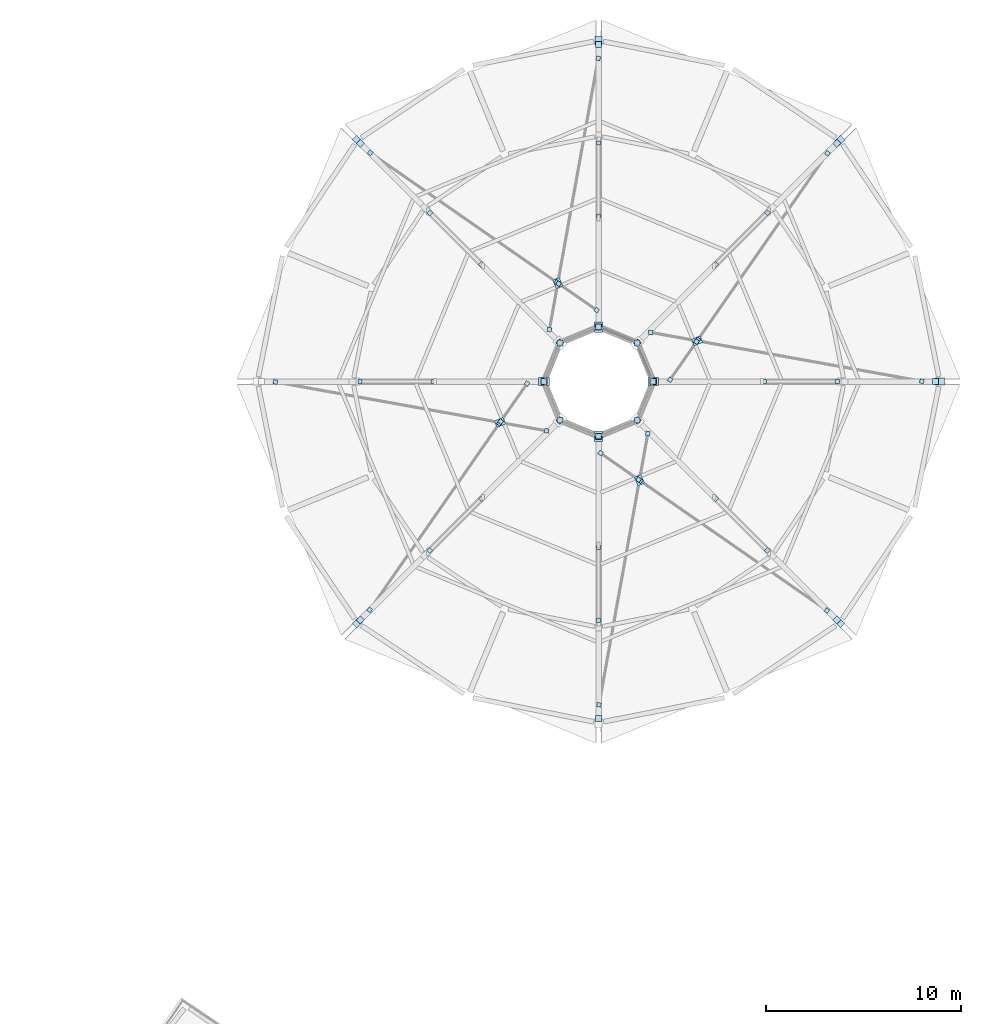
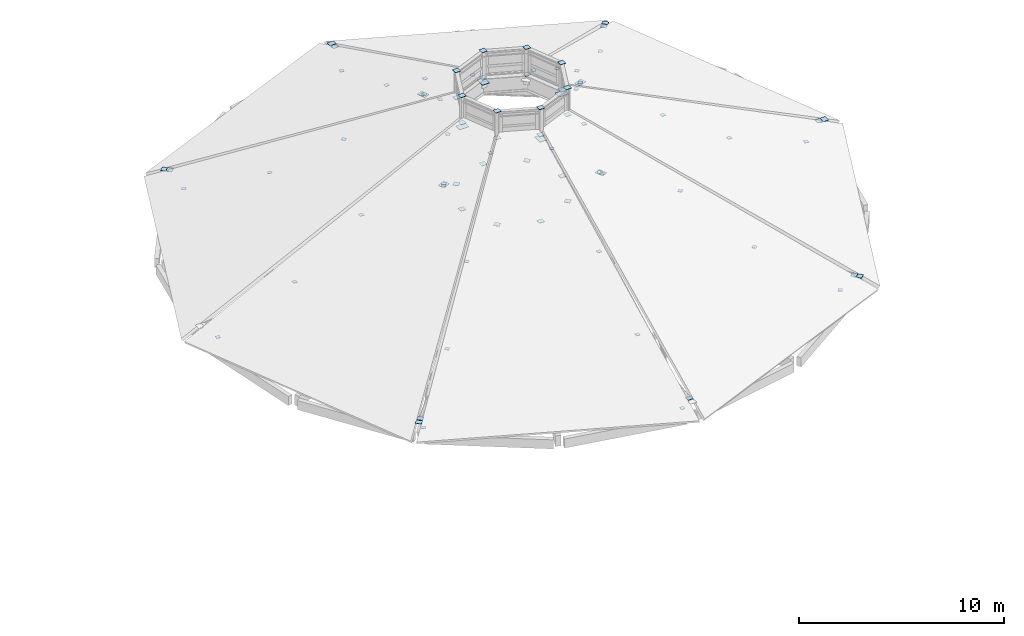
# One storey, part 51 of 66: 85 plates.
"""IFC4 building model written with IfcOpenShell, lengths in metres."""

from ifc_helpers import new_model, si_unit, direction, frame, origin, origin_2d, place, context, subcontext, project, spatial, rectangle, extrude, material, layer, layer_set, type_object, element, save


model = new_model("IFC4")

# Units and contexts
model_context = context("Model", 3, precision=1e-05, world=origin(), true_north=direction((0.0, 1.0)))
body_context = subcontext(model_context, "Body", "Model", "MODEL_VIEW")
ifc_project = project(units=[si_unit("LENGTHUNIT", "METRE"), si_unit("AREAUNIT", "SQUARE_METRE"), si_unit("VOLUMEUNIT", "CUBIC_METRE"), si_unit("PLANEANGLEUNIT", "RADIAN"), si_unit("MASSUNIT", "GRAM", prefix="KILO")], contexts=[model_context])

# Site, building, storey
site_placement = place(None, origin())
site = spatial("IfcSite", under=ifc_project, at=site_placement, CompositionType="ELEMENT")
building_placement = place(site_placement, origin())
building = spatial("IfcBuilding", under=site, at=building_placement, Name="Caldaven Crescent School", CompositionType="ELEMENT")
storey_placement = place(building_placement, frame((0.0, 0.0, 8.159912109375)))
storey = spatial("IfcBuildingStorey", under=building, at=storey_placement, Name="L02", CompositionType="ELEMENT", Elevation=8.159912109375)

# Plates
ifc_material = material(Name="Steel ASTM A572 Grade 50", Category="steel")
ifc_layer_1 = layer(ifc_material, 0.01806640625)
ifc_layer_set_1 = layer_set([ifc_layer_1], Name="Steel ASTM A572 Grade 50")
plate_type_1 = type_object("IfcPlateType", Name="PLT-CAP18", PredefinedType="USERDEFINED", material=ifc_layer_set_1)
for number, where, z_axis, x_axis, name in (
    (1, (164.744140625, 98.5, 1.259033203125), (0.0, 0.0, 1.0), (-1.0, 0.0, 0.0), "PLT-CAP-0003-A"),
    (2, (160.996826171875, 98.5, 3.92724609375), (0.0, 0.0, 1.0), (-1.0, 0.0, 0.0), "PLT-CAP-0004-B"),
    (3, (169.08203125, 98.521240234375, -0.50537109375), (0.0, 0.0, 1.0), (-0.984195607969, 0.17708474032, 0.0), "PLT-CAP-0007-A"),
    (4, (155.163330078125, 101.0244140625, 7.105712890625), (0.0, 0.0, 1.0), (-0.984195607969, 0.17708474032, 0.0), "PLT-CAP-0008-B"),
    (5, (164.240234375, 110.21044921875, -0.50537109375), (0.0, 0.0, 1.0), (-0.570713567684, -0.821149209134, 0.0), "PLT-CAP-0009-A"),
    (6, (157.58642578125, 100.63818359375, 5.7685546875), (0.0, 0.0, 1.0), (-0.570713567684, -0.821149209134, 0.0), "PLT-CAP-0010-B"),
    (7, (157.525146484375, 100.550048828125, 5.826416015625), (0.0, 0.0, 1.0), (-0.570713567684, -0.821149209134, 0.0), "PLT-CAP-0011-A"),
    (8, (156.16845703125, 98.598388671875, 7.105712890625), (0.0, 0.0, 1.0), (-0.570713567684, -0.821149209134, 0.0), "PLT-CAP-0012-B"),
    (9, (161.157958984375, 107.157958984375, 1.259033203125), (0.0, 0.0, 1.0), (-0.707106781187, -0.707106781187, 0.0), "PLT-CAP-0015-A"),
    (10, (158.508056640625, 104.508056640625, 3.92724609375), (0.0, 0.0, 1.0), (-0.707106781187, -0.707106781187, 0.0), "PLT-CAP-0016-B"),
    (11, (152.5, 110.744140625, 1.259033203125), (0.0, 0.0, 1.0), (0.0, -1.0, 0.0), "PLT-CAP-0021-A"),
    (12, (152.5, 106.996826171875, 3.92724609375), (0.0, 0.0, 1.0), (0.0, -1.0, 0.0), "PLT-CAP-0022-B"),
    (13, (152.478759765625, 115.08203125, -0.50537109375), (0.0, 0.0, 1.0), (-0.17708474032, -0.984195607969, 0.0), "PLT-CAP-0025-A"),
    (14, (149.9755859375, 101.163330078125, 7.105712890625), (0.0, 0.0, 1.0), (-0.17708474032, -0.984195607969, 0.0), "PLT-CAP-0026-B"),
    (15, (140.78955078125, 110.240234375, -0.50537109375), (0.0, 0.0, 1.0), (0.821149209134, -0.570713567684, 0.0), "PLT-CAP-0027-A"),
    (16, (150.36181640625, 103.58642578125, 5.7685546875), (0.0, 0.0, 1.0), (0.821149209134, -0.570713567684, 0.0), "PLT-CAP-0028-B"),
    (17, (150.449951171875, 103.525146484375, 5.826416015625), (0.0, 0.0, 1.0), (0.821149209134, -0.570713567684, 0.0), "PLT-CAP-0029-A"),
    (18, (152.401611328125, 102.16845703125, 7.105712890625), (0.0, 0.0, 1.0), (0.821149209134, -0.570713567684, 0.0), "PLT-CAP-0030-B"),
    (19, (143.842041015625, 107.157958984375, 1.259033203125), (0.0, 0.0, 1.0), (0.707106781187, -0.707106781187, 0.0), "PLT-CAP-0033-A"),
    (20, (146.491943359375, 104.508056640625, 3.92724609375), (0.0, 0.0, 1.0), (0.707106781187, -0.707106781187, 0.0), "PLT-CAP-0034-B"),
    (21, (140.255859375, 98.5, 1.259033203125), (0.0, 0.0, 1.0), (1.0, 0.0, 0.0), "PLT-CAP-0039-A"),
    (22, (144.003173828125, 98.5, 3.92724609375), (0.0, 0.0, 1.0), (1.0, 0.0, 0.0), "PLT-CAP-0040-B"),
    (23, (135.91796875, 98.478759765625, -0.50537109375), (0.0, 0.0, 1.0), (0.984195607969, -0.17708474032, 0.0), "PLT-CAP-0043-A"),
    (24, (149.836669921875, 95.9755859375, 7.105712890625), (0.0, 0.0, 1.0), (0.984195607969, -0.17708474032, 0.0), "PLT-CAP-0044-B"),
    (25, (140.759765625, 86.78955078125, -0.50537109375), (0.0, 0.0, 1.0), (0.570713567684, 0.821149209134, 0.0), "PLT-CAP-0045-A"),
    (26, (147.41357421875, 96.36181640625, 5.7685546875), (0.0, 0.0, 1.0), (0.570713567684, 0.821149209134, 0.0), "PLT-CAP-0046-B"),
    (27, (147.474853515625, 96.449951171875, 5.826416015625), (0.0, 0.0, 1.0), (0.570713567684, 0.821149209134, 0.0), "PLT-CAP-0047-A"),
    (28, (148.83154296875, 98.401611328125, 7.105712890625), (0.0, 0.0, 1.0), (0.570713567684, 0.821149209134, 0.0), "PLT-CAP-0048-B"),
    (29, (143.842041015625, 89.842041015625, 1.259033203125), (0.0, 0.0, 1.0), (0.707106781187, 0.707106781187, 0.0), "PLT-CAP-0051-A"),
    (30, (146.491943359375, 92.491943359375, 3.92724609375), (0.0, 0.0, 1.0), (0.707106781187, 0.707106781187, 0.0), "PLT-CAP-0052-B"),
    (31, (152.5, 86.255859375, 1.259033203125), (0.0, 0.0, 1.0), (0.0, 1.0, 0.0), "PLT-CAP-0057-A"),
    (32, (152.5, 90.003173828125, 3.92724609375), (0.0, 0.0, 1.0), (0.0, 1.0, 0.0), "PLT-CAP-0058-B"),
    (33, (152.521240234375, 81.91796875, -0.50537109375), (0.0, 0.0, 1.0), (0.17708474032, 0.984195607969, 0.0), "PLT-CAP-0061-A"),
    (34, (155.0244140625, 95.836669921875, 7.105712890625), (0.0, 0.0, 1.0), (0.17708474032, 0.984195607969, 0.0), "PLT-CAP-0062-B"),
    (35, (164.21044921875, 86.759765625, -0.50537109375), (0.0, 0.0, 1.0), (-0.821149209134, 0.570713567684, 0.0), "PLT-CAP-0063-A"),
    (36, (154.63818359375, 93.41357421875, 5.7685546875), (0.0, 0.0, 1.0), (-0.821149209134, 0.570713567684, 0.0), "PLT-CAP-0064-B"),
    (37, (154.550048828125, 93.474853515625, 5.826416015625), (0.0, 0.0, 1.0), (-0.821149209134, 0.570713567684, 0.0), "PLT-CAP-0065-A"),
    (38, (152.598388671875, 94.83154296875, 7.105712890625), (0.0, 0.0, 1.0), (-0.821149209134, 0.570713567684, 0.0), "PLT-CAP-0066-B"),
    (39, (161.157958984375, 89.842041015625, 1.259033203125), (0.0, 0.0, 1.0), (-0.707106781187, 0.707106781187, 0.0), "PLT-CAP-0069-A"),
    (40, (158.508056640625, 92.491943359375, 3.92724609375), (0.0, 0.0, 1.0), (-0.707106781187, 0.707106781187, 0.0), "PLT-CAP-0070-B"),
):
    element("IfcPlate", number, at=place(storey_placement, frame(where, z_axis=z_axis, x_axis=x_axis)), inside=storey, type_object=plate_type_1, Name=name, ObjectType="CAP_PLATE", PredefinedType="USERDEFINED", context=body_context, shape_type="SweptSolid", body=[
        extrude(rectangle(XDim=0.219970703125, YDim=0.219970703125, at=origin_2d()), origin(), (0.0, 0.0, 1.0), 0.02001953125),
    ])
ifc_layer_2 = layer(ifc_material, 0.02001953125)
ifc_layer_set_2 = layer_set([ifc_layer_2], Name="Steel ASTM A572 Grade 50")
plate_type_2 = type_object("IfcPlateType", Name="PLT-CAP24", PredefinedType="USERDEFINED", material=ifc_layer_set_2)
for number, where, z_axis, x_axis, name in (
    (41, (169.78564453125, 98.5, 0.516357421875), (0.0, 0.0, 1.0), (-1.0, 0.0, 0.0), "PLT-CAP-0001-A"),
    (42, (155.31591796875, 98.5, 2.2880859375), (0.0, 0.0, 1.0), (-1.0, 0.0, 0.0), "PLT-CAP-0002-B"),
    (43, (155.300048828125, 98.5, 7.43603515625), (0.0, 0.0, 1.0), (1.0, 0.0, 0.0), "PLT-CAP-0005-A"),
    (44, (155.300048828125, 98.5, 9.044189453125), (0.0, 0.0, 1.0), (1.0, 0.0, 0.0), "PLT-CAP-0006-B"),
    (45, (164.72265625, 110.72265625, 0.516357421875), (0.0, 0.0, 1.0), (-0.707106781187, -0.707106781187, 0.0), "PLT-CAP-0013-A"),
    (46, (154.4912109375, 100.4912109375, 2.2880859375), (0.0, 0.0, 1.0), (-0.707106781187, -0.707106781187, 0.0), "PLT-CAP-0014-B"),
    (47, (154.47998046875, 100.47998046875, 7.43603515625), (0.0, 0.0, 1.0), (1.0, 0.0, 0.0), "PLT-CAP-0017-A"),
    (48, (154.47998046875, 100.47998046875, 9.044189453125), (0.0, 0.0, 1.0), (1.0, 0.0, 0.0), "PLT-CAP-0018-B"),
    (49, (152.5, 115.78564453125, 0.516357421875), (0.0, 0.0, 1.0), (0.0, -1.0, 0.0), "PLT-CAP-0019-A"),
    (50, (152.5, 101.31591796875, 2.2880859375), (0.0, 0.0, 1.0), (0.0, -1.0, 0.0), "PLT-CAP-0020-B"),
    (51, (152.5, 101.300048828125, 7.43603515625), (0.0, 0.0, 1.0), (1.0, 0.0, 0.0), "PLT-CAP-0023-A"),
    (52, (152.5, 101.300048828125, 9.044189453125), (0.0, 0.0, 1.0), (1.0, 0.0, 0.0), "PLT-CAP-0024-B"),
    (53, (140.27734375, 110.72265625, 0.516357421875), (0.0, 0.0, 1.0), (0.707106781187, -0.707106781187, 0.0), "PLT-CAP-0031-A"),
    (54, (150.5087890625, 100.4912109375, 2.2880859375), (0.0, 0.0, 1.0), (0.707106781187, -0.707106781187, 0.0), "PLT-CAP-0032-B"),
    (55, (150.52001953125, 100.47998046875, 7.43603515625), (0.0, 0.0, 1.0), (1.0, 0.0, 0.0), "PLT-CAP-0035-A"),
    (56, (150.52001953125, 100.47998046875, 9.044189453125), (0.0, 0.0, 1.0), (1.0, 0.0, 0.0), "PLT-CAP-0036-B"),
    (57, (149.68408203125, 98.5, 2.2880859375), (0.0, 0.0, 1.0), (1.0, 0.0, 0.0), "PLT-CAP-0038-B"),
    (58, (149.699951171875, 98.5, 7.43603515625), (0.0, 0.0, 1.0), (1.0, 0.0, 0.0), "PLT-CAP-0041-A"),
    (59, (149.699951171875, 98.5, 9.044189453125), (0.0, 0.0, 1.0), (1.0, 0.0, 0.0), "PLT-CAP-0042-B"),
    (60, (140.27734375, 86.27734375, 0.516357421875), (0.0, 0.0, 1.0), (0.707106781187, 0.707106781187, 0.0), "PLT-CAP-0049-A"),
    (61, (150.5087890625, 96.5087890625, 2.2880859375), (0.0, 0.0, 1.0), (0.707106781187, 0.707106781187, 0.0), "PLT-CAP-0050-B"),
    (62, (150.52001953125, 96.52001953125, 7.43603515625), (0.0, 0.0, 1.0), (1.0, 0.0, 0.0), "PLT-CAP-0053-A"),
    (63, (150.52001953125, 96.52001953125, 9.044189453125), (0.0, 0.0, 1.0), (1.0, 0.0, 0.0), "PLT-CAP-0054-B"),
    (64, (152.5, 81.21435546875, 0.516357421875), (0.0, 0.0, 1.0), (0.0, 1.0, 0.0), "PLT-CAP-0055-A"),
    (65, (152.5, 95.68408203125, 2.2880859375), (0.0, 0.0, 1.0), (0.0, 1.0, 0.0), "PLT-CAP-0056-B"),
    (66, (152.5, 95.699951171875, 7.43603515625), (0.0, 0.0, 1.0), (1.0, 0.0, 0.0), "PLT-CAP-0059-A"),
    (67, (152.5, 95.699951171875, 9.044189453125), (0.0, 0.0, 1.0), (1.0, 0.0, 0.0), "PLT-CAP-0060-B"),
    (68, (164.72265625, 86.27734375, 0.516357421875), (0.0, 0.0, 1.0), (-0.707106781187, 0.707106781187, 0.0), "PLT-CAP-0067-A"),
    (69, (154.4912109375, 96.5087890625, 2.2880859375), (0.0, 0.0, 1.0), (-0.707106781187, 0.707106781187, 0.0), "PLT-CAP-0068-B"),
    (70, (154.47998046875, 96.52001953125, 7.43603515625), (0.0, 0.0, 1.0), (1.0, 0.0, 0.0), "PLT-CAP-0071-A"),
    (71, (154.47998046875, 96.52001953125, 9.044189453125), (0.0, 0.0, 1.0), (1.0, 0.0, 0.0), "PLT-CAP-0072-B"),
):
    element("IfcPlate", number, at=place(storey_placement, frame(where, z_axis=z_axis, x_axis=x_axis)), inside=storey, type_object=plate_type_2, Name=name, ObjectType="CAP_PLATE", PredefinedType="USERDEFINED", context=body_context, shape_type="SweptSolid", body=[
        extrude(rectangle(XDim=0.300048828125, YDim=0.300048828125, at=origin_2d()), origin(), (0.0, 0.0, 1.0), 0.02001953125),
    ])
ifc_layer_3 = layer(ifc_material, 0.02001953125)
ifc_layer_set_3 = layer_set([ifc_layer_3], Name="Steel ASTM A572 Grade 50")
plate_type_3 = type_object("IfcPlateType", Name="PLT-GUS1", PredefinedType="USERDEFINED", material=ifc_layer_set_3)
for number, where, z_axis, x_axis, name in (
    (72, (170.0, 98.5, 0.489990234375), (0.0, 0.0, 1.0), (1.0, 0.0, 0.0), "GUS-V1-00-EAV"),
    (73, (157.5556640625, 100.59423828125, 5.79736328125), (0.0, 0.0, 1.0), (0.923879532511, 0.382683432365, 0.0), "GUS-XBR-V1-00"),
    (74, (152.5, 116.0, 0.489990234375), (0.0, 0.0, 1.0), (0.0, 1.0, 0.0), "GUS-V1-02-EAV"),
    (75, (150.40576171875, 103.5556640625, 5.79736328125), (0.0, 0.0, 1.0), (-0.382683432365, 0.923879532511, 0.0), "GUS-XBR-V1-02"),
    (76, (147.4443359375, 96.40576171875, 5.79736328125), (0.0, 0.0, 1.0), (-0.923879532511, -0.382683432365, 0.0), "GUS-XBR-V1-04"),
    (77, (154.59423828125, 93.4443359375, 5.79736328125), (0.0, 0.0, 1.0), (0.382683432365, -0.923879532511, 0.0), "GUS-XBR-V1-06"),
):
    element("IfcPlate", number, at=place(storey_placement, frame(where, z_axis=z_axis, x_axis=x_axis)), inside=storey, type_object=plate_type_3, Name=name, ObjectType="GUSSET_PLATE", PredefinedType="USERDEFINED", context=body_context, shape_type="SweptSolid", body=[
        extrude(rectangle(XDim=0.47998046875, YDim=0.360107421875, at=origin_2d()), origin(), (0.0, 0.0, 1.0), 0.02001953125),
    ])
ifc_layer_4 = layer(ifc_material, 0.01806640625)
ifc_layer_set_4 = layer_set([ifc_layer_4], Name="Steel ASTM A572 Grade 50")
plate_type_4 = type_object("IfcPlateType", Name="PLT-GUS2", PredefinedType="USERDEFINED", material=ifc_layer_set_4)
for number, where, z_axis, x_axis, name in (
    (78, (164.874267578125, 110.874267578125, 0.490966796875), (0.0, 0.0, 1.0), (0.707106781187, 0.707106781187, 0.0), "GUS-V1-01-EAV"),
    (79, (140.125732421875, 110.874267578125, 0.490966796875), (0.0, 0.0, 1.0), (-0.707106781187, 0.707106781187, 0.0), "GUS-V1-03-EAV"),
    (80, (140.125732421875, 86.125732421875, 0.490966796875), (0.0, 0.0, 1.0), (-0.707106781187, -0.707106781187, 0.0), "GUS-V1-05-EAV"),
    (81, (164.874267578125, 86.125732421875, 0.490966796875), (0.0, 0.0, 1.0), (0.707106781187, -0.707106781187, 0.0), "GUS-V1-07-EAV"),
):
    element("IfcPlate", number, at=place(storey_placement, frame(where, z_axis=z_axis, x_axis=x_axis)), inside=storey, type_object=plate_type_4, Name=name, ObjectType="GUSSET_PLATE", PredefinedType="USERDEFINED", context=body_context, shape_type="SweptSolid", body=[
        extrude(rectangle(XDim=0.419921875, YDim=0.320068359375, at=origin_2d()), origin(), (0.0, 0.0, 1.0), 0.01806640625),
    ])
ifc_layer_5 = layer(ifc_material, 0.02001953125)
ifc_layer_set_5 = layer_set([ifc_layer_5], Name="Steel ASTM A572 Grade 50")
plate_type_5 = type_object("IfcPlateType", Name="PLT-GUS3", PredefinedType="USERDEFINED", material=ifc_layer_set_5)
for number, where, z_axis, x_axis, name in (
    (82, (155.300048828125, 98.5, 7.2001953125), (0.0, 0.0, 1.0), (1.0, 0.0, 0.0), "GUS-V1-00-RNG"),
    (83, (152.5, 101.300048828125, 7.2001953125), (0.0, 0.0, 1.0), (0.0, 1.0, 0.0), "GUS-V1-02-RNG"),
    (84, (149.699951171875, 98.5, 7.2001953125), (0.0, 0.0, 1.0), (-1.0, 0.0, 0.0), "GUS-V1-04-RNG"),
    (85, (152.5, 95.699951171875, 7.2001953125), (0.0, 0.0, 1.0), (0.0, -1.0, 0.0), "GUS-V1-06-RNG"),
):
    element("IfcPlate", number, at=place(storey_placement, frame(where, z_axis=z_axis, x_axis=x_axis)), inside=storey, type_object=plate_type_5, Name=name, ObjectType="GUSSET_PLATE", PredefinedType="USERDEFINED", context=body_context, shape_type="SweptSolid", body=[
        extrude(rectangle(XDim=0.5400390625, YDim=0.39990234375, at=origin_2d()), origin(), (0.0, 0.0, 1.0), 0.02001953125),
    ])

save(model, "model.ifc")
